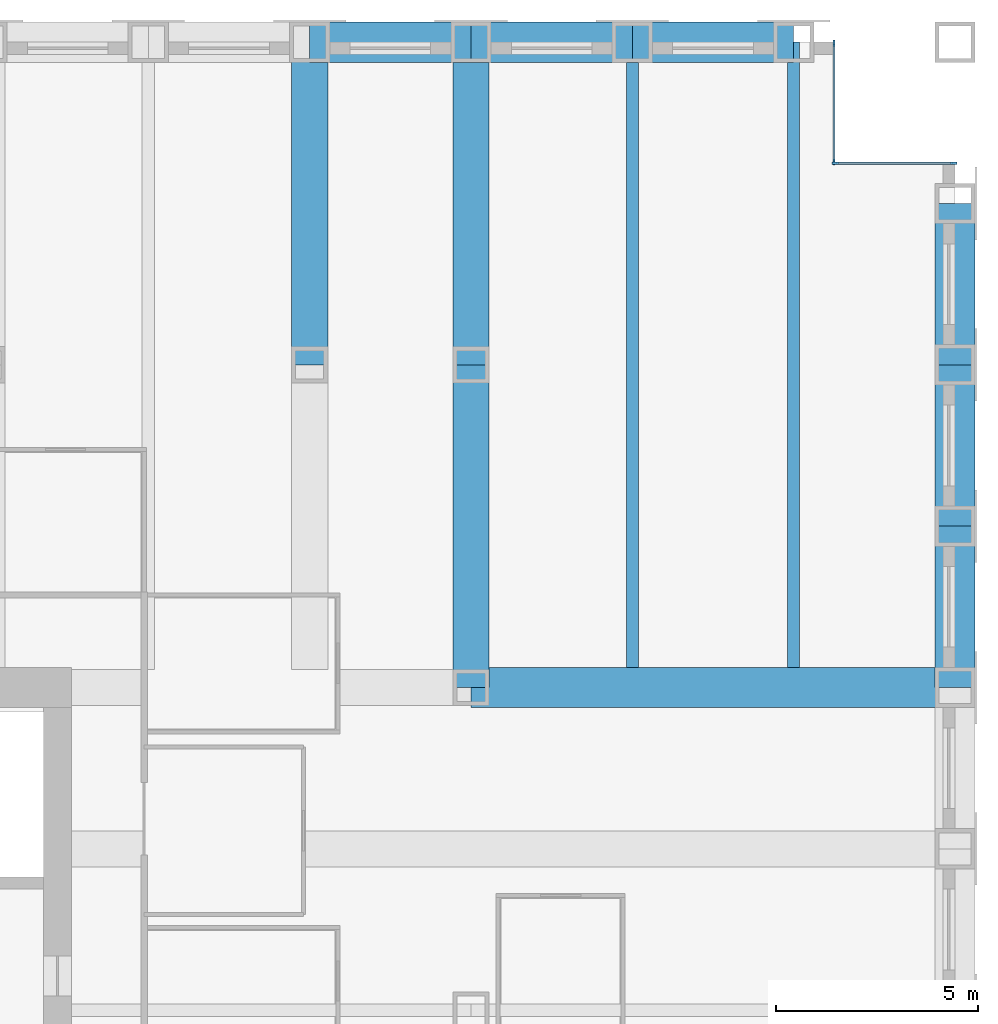
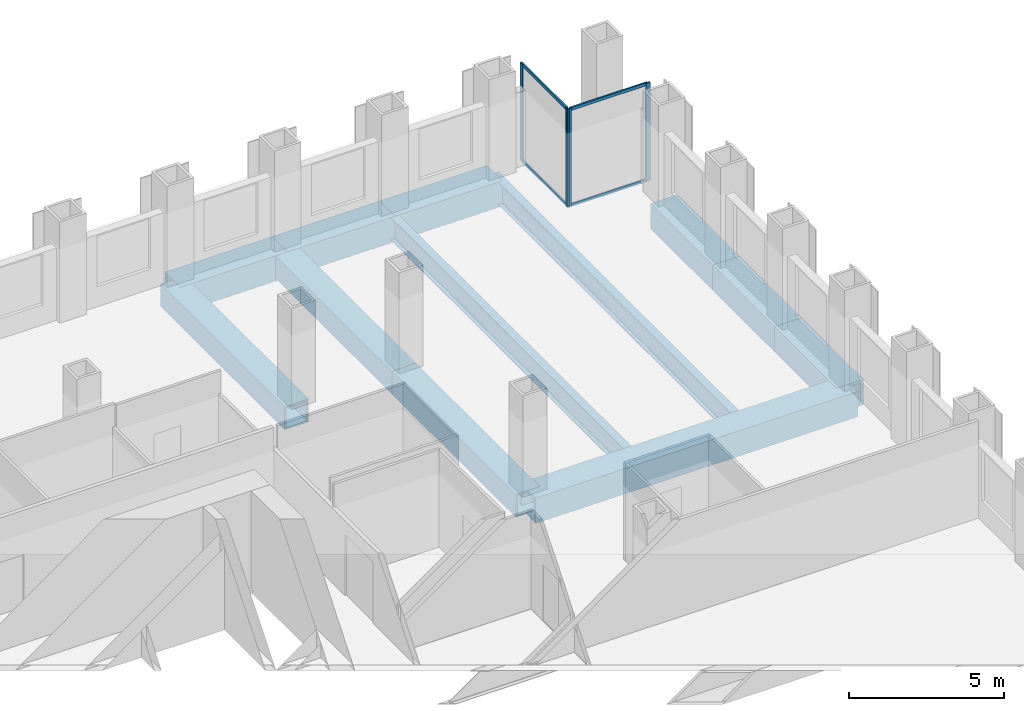
# One storey, part 9 of 16: 12 beams, 8 members, 2 elements without a shape of their own.
"""IFC4 building model written with IfcOpenShell, lengths in metres."""

from ifc_helpers import new_model, si_unit, direction, frame, origin, origin_2d, place, context, subcontext, project, spatial, rectangle, hollow_rectangle, i_section, extrude, material, material_profile, profile_set, type_object, element, aggregate, save


model = new_model("IFC4")

# Units and contexts
model_context = context("Model", 3, precision=1e-05, world=origin(), true_north=direction((0.0, 1.0)))
body_context = subcontext(model_context, "Body", "Model", "MODEL_VIEW")
ifc_project = project(units=[si_unit("LENGTHUNIT", "METRE"), si_unit("AREAUNIT", "SQUARE_METRE"), si_unit("VOLUMEUNIT", "CUBIC_METRE"), si_unit("PLANEANGLEUNIT", "RADIAN"), si_unit("MASSUNIT", "GRAM", prefix="KILO")], contexts=[model_context])

# Site, building, storey
site_placement = place(None, origin())
site = spatial("IfcSite", under=ifc_project, at=site_placement, CompositionType="ELEMENT")
building_placement = place(site_placement, origin())
building = spatial("IfcBuilding", under=site, at=building_placement, Name="Rimbunsela Tower", CompositionType="ELEMENT")
storey_placement = place(building_placement, frame((0.0, 0.0, 125.39990234375)))
storey = spatial("IfcBuildingStorey", under=building, at=storey_placement, Name="L30", CompositionType="ELEMENT", Elevation=125.39990234375)

# Beams
ifc_material_1 = material(Name="Steel BJ 55 (fy 410 MPa)", Category="steel")
ifc_material_profile_1 = material_profile(ifc_material_1, hollow_rectangle(XDim=1.0, YDim=1.0, WallThickness=0.10009765625, at=origin_2d()), Name="BOX 1000x1000x100")
ifc_profile_set_1 = profile_set([ifc_material_profile_1], Name="Steel BJ 55 (fy 410 MPa)")
beam_type_1 = type_object("IfcBeamType", Name="Beam BOX 1000x1000x100", PredefinedType="BEAM", material=ifc_profile_set_1)
beam_1_placement = place(storey_placement, frame((42.0, 52.0, -0.64990234375), z_axis=(1.0, 0.0, 0.0), x_axis=(0.0, 1.0, 0.0)))
element("IfcBeam", 1, at=beam_1_placement, inside=storey, type_object=beam_type_1, Name="Beam B3 L30", PredefinedType="BEAM", context=body_context, shape_type="SweptSolid", body=[
    extrude(hollow_rectangle(XDim=1.0, YDim=1.0, WallThickness=0.10009765625, at=origin_2d()), origin(), (0.0, 0.0, 1.0), 4.0),
])
beam_2_placement = place(storey_placement, frame((46.0, 36.0, -0.64990234375), z_axis=(1.0, 0.0, 0.0), x_axis=(0.0, 1.0, 0.0)))
element("IfcBeam", 2, at=beam_2_placement, inside=storey, type_object=beam_type_1, Name="Beam B3 L30", PredefinedType="BEAM", context=body_context, shape_type="SweptSolid", body=[
    extrude(hollow_rectangle(XDim=1.0, YDim=1.0, WallThickness=0.10009765625, at=origin_2d()), origin(), (0.0, 0.0, 1.0), 12.0),
])
for number, where, z_axis, x_axis, name in (
    (3, (46.0, 52.0, -0.64990234375), (1.0, 0.0, 0.0), (0.0, 1.0, 0.0), "Beam B3 L30"),
    (4, (50.0, 52.0, -0.64990234375), (1.0, 0.0, 0.0), (0.0, 1.0, 0.0), "Beam B3 L30"),
    (5, (58.0, 36.0, -0.64990234375), (0.0, 1.0, 0.0), (-1.0, 0.0, 0.0), "Beam B3 L30"),
    (6, (58.0, 40.0, -0.64990234375), (0.0, 1.0, 0.0), (-1.0, 0.0, 0.0), "Beam B3 L30"),
    (7, (58.0, 44.0, -0.64990234375), (0.0, 1.0, 0.0), (-1.0, 0.0, 0.0), "Beam B3 L30"),
):
    element("IfcBeam", number, at=place(storey_placement, frame(where, z_axis=z_axis, x_axis=x_axis)), inside=storey, type_object=beam_type_1, Name=name, PredefinedType="BEAM", context=body_context, shape_type="SweptSolid", body=[
        extrude(hollow_rectangle(XDim=1.0, YDim=1.0, WallThickness=0.10009765625, at=origin_2d()), origin(), (0.0, 0.0, 1.0), 4.0),
    ])
ifc_material_2 = material(Name="Steel BJ 55 (fy 410 MPa)", Category="steel")
ifc_material_profile_2 = material_profile(ifc_material_2, hollow_rectangle(XDim=0.89990234375, YDim=0.89990234375, WallThickness=0.06005859375, at=origin_2d()), Name="BOX 900x900x60")
ifc_profile_set_2 = profile_set([ifc_material_profile_2], Name="Steel BJ 55 (fy 410 MPa)")
beam_type_2 = type_object("IfcBeamType", Name="Beam BOX 900x900x60", PredefinedType="BEAM", material=ifc_profile_set_2)
for number, where, z_axis, x_axis, name in (
    (8, (42.0, 44.0, -0.599853515625), (0.0, 1.0, 0.0), (-1.0, 0.0, 0.0), "Beam B1 L30"),
    (9, (46.0, 36.0, -0.599853515625), (0.0, 1.0, 0.0), (-1.0, 0.0, 0.0), "Beam B1 L30"),
    (10, (46.0, 44.0, -0.599853515625), (0.0, 1.0, 0.0), (-1.0, 0.0, 0.0), "Beam B1 L30"),
):
    element("IfcBeam", number, at=place(storey_placement, frame(where, z_axis=z_axis, x_axis=x_axis)), inside=storey, type_object=beam_type_2, Name=name, PredefinedType="BEAM", context=body_context, shape_type="SweptSolid", body=[
        extrude(hollow_rectangle(XDim=0.89990234375, YDim=0.89990234375, WallThickness=0.06005859375, at=origin_2d()), origin(), (0.0, 0.0, 1.0), 8.0),
    ])
ifc_material_3 = material(Name="Steel BJ 55 (fy 410 MPa)", Category="steel")
ifc_material_profile_3 = material_profile(ifc_material_3, i_section(OverallWidth=0.300048828125, OverallDepth=0.89990234375, WebThickness=0.01611328125, FlangeThickness=0.028076171875, FilletRadius=0.028076171875, at=origin_2d()), Name="H 900x300x16x28")
ifc_profile_set_3 = profile_set([ifc_material_profile_3], Name="Steel BJ 55 (fy 410 MPa)")
beam_type_3 = type_object("IfcBeamType", Name="Beam H 900x300x16x28", PredefinedType="BEAM", material=ifc_profile_set_3)
for number, where, z_axis, x_axis, name in (
    (11, (50.0, 36.5, -0.599853515625), (0.0, 1.0, 0.0), (-1.0, 0.0, 0.0), "Beam B2 L30"),
    (12, (54.0, 36.5, -0.599853515625), (0.0, 1.0, 0.0), (-1.0, 0.0, 0.0), "Beam B2 L30"),
):
    element("IfcBeam", number, at=place(storey_placement, frame(where, z_axis=z_axis, x_axis=x_axis)), inside=storey, type_object=beam_type_3, Name=name, PredefinedType="BEAM", context=body_context, shape_type="SweptSolid", body=[
        extrude(i_section(OverallWidth=0.300048828125, OverallDepth=0.89990234375, WebThickness=0.01611328125, FlangeThickness=0.028076171875, FilletRadius=0.028076171875, at=origin_2d()), origin(), (0.0, 0.0, 1.0), 15.5),
    ])

# Curtain wall, members
ifc_material_4 = material(Name="Aluminium curtain wall", Category="aluminium")
curtain_wall_type = type_object("IfcCurtainWallType", Name="Corner glazing", PredefinedType="USERDEFINED", material=ifc_material_4)
curtain_wall_1_placement = place(storey_placement, origin())
curtain_wall_1 = element("IfcCurtainWall", 13, at=curtain_wall_1_placement, inside=storey, type_object=curtain_wall_type, Name="Corner glazing L30", ObjectType="CORNER GLAZING", PredefinedType="USERDEFINED")
ifc_material_5 = material(Name="Aluminium mullion", Category="aluminium")
ifc_material_profile_4 = material_profile(ifc_material_5, rectangle(XDim=0.06005859375, YDim=0.159912109375, at=origin_2d()), Name="Mullion 60x160")
ifc_profile_set_4 = profile_set([ifc_material_profile_4], Name="Aluminium mullion")
member_type_1 = type_object("IfcMemberType", Name="Curtain wall mullion 60x160", PredefinedType="MULLION", material=ifc_profile_set_4)
member_1_placement = place(storey_placement, frame((57.969970703125, 49.0, 0.0), z_axis=(0.0, 0.0, 1.0), x_axis=(0.0, -1.0, 0.0)))
member_1 = element("IfcMember", 14, at=member_1_placement, type_object=member_type_1, Name="CW5 mullion 1", PredefinedType="MULLION", context=body_context, shape_type="SweptSolid", body=[
    extrude(rectangle(XDim=0.06005859375, YDim=0.159912109375, at=origin_2d()), origin(), (0.0, 0.0, 1.0), 3.85009765625),
])
member_2_placement = place(storey_placement, frame((55.030029296875, 49.0, 0.0), z_axis=(0.0, 0.0, 1.0), x_axis=(0.0, -1.0, 0.0)))
member_2 = element("IfcMember", 15, at=member_2_placement, type_object=member_type_1, Name="CW5 mullion 2", PredefinedType="MULLION", context=body_context, shape_type="SweptSolid", body=[
    extrude(rectangle(XDim=0.06005859375, YDim=0.159912109375, at=origin_2d()), origin(), (0.0, 0.0, 1.0), 3.85009765625),
])

curtain_wall_2_placement = place(storey_placement, origin())
curtain_wall_2 = element("IfcCurtainWall", 16, at=curtain_wall_2_placement, inside=storey, type_object=curtain_wall_type, Name="Corner glazing L30", ObjectType="CORNER GLAZING", PredefinedType="USERDEFINED")
member_3_placement = place(storey_placement, frame((55.0, 49.030029296875, 0.0), z_axis=(0.0, 0.0, 1.0), x_axis=(-1.0, 0.0, 0.0)))
member_3 = element("IfcMember", 17, at=member_3_placement, type_object=member_type_1, Name="CW5 mullion 1", PredefinedType="MULLION", context=body_context, shape_type="SweptSolid", body=[
    extrude(rectangle(XDim=0.06005859375, YDim=0.159912109375, at=origin_2d()), origin(), (0.0, 0.0, 1.0), 3.85009765625),
])
member_4_placement = place(storey_placement, frame((55.0, 51.969970703125, 0.0), z_axis=(0.0, 0.0, 1.0), x_axis=(-1.0, 0.0, 0.0)))
member_4 = element("IfcMember", 18, at=member_4_placement, type_object=member_type_1, Name="CW5 mullion 2", PredefinedType="MULLION", context=body_context, shape_type="SweptSolid", body=[
    extrude(rectangle(XDim=0.06005859375, YDim=0.159912109375, at=origin_2d()), origin(), (0.0, 0.0, 1.0), 3.85009765625),
])

# Member
ifc_material_6 = material(Name="Aluminium transom", Category="aluminium")
ifc_material_profile_5 = material_profile(ifc_material_6, rectangle(XDim=0.06005859375, YDim=0.1201171875, at=origin_2d()), Name="Transom 60x120")
ifc_profile_set_5 = profile_set([ifc_material_profile_5], Name="Aluminium transom")
member_type_2 = type_object("IfcMemberType", Name="Curtain wall transom 60x120", PredefinedType="USERDEFINED", material=ifc_profile_set_5)
member_5_placement = place(storey_placement, frame((57.93994140625, 49.0, 0.030029296875), z_axis=(-1.0, 0.0, 0.0), x_axis=(0.0, -1.0, 0.0)))
member_5 = element("IfcMember", 19, at=member_5_placement, type_object=member_type_2, Name="CW5 transom 1.1", ObjectType="TRANSOM", PredefinedType="USERDEFINED", context=body_context, shape_type="SweptSolid", body=[
    extrude(rectangle(XDim=0.06005859375, YDim=0.1201171875, at=origin_2d()), origin(), (0.0, 0.0, 1.0), 2.8798828125),
])

member_6_placement = place(storey_placement, frame((57.93994140625, 49.0, 3.820068359375), z_axis=(-1.0, 0.0, 0.0), x_axis=(0.0, -1.0, 0.0)))
member_6 = element("IfcMember", 20, at=member_6_placement, type_object=member_type_2, Name="CW5 transom 1.2", ObjectType="TRANSOM", PredefinedType="USERDEFINED", context=body_context, shape_type="SweptSolid", body=[
    extrude(rectangle(XDim=0.06005859375, YDim=0.1201171875, at=origin_2d()), origin(), (0.0, 0.0, 1.0), 2.8798828125),
])

aggregate(curtain_wall_1, [member_1, member_2, member_5, member_6])

member_7_placement = place(storey_placement, frame((55.0, 49.06005859375, 0.030029296875), z_axis=(0.0, 1.0, 0.0), x_axis=(-1.0, 0.0, 0.0)))
member_7 = element("IfcMember", 21, at=member_7_placement, type_object=member_type_2, Name="CW5 transom 1.1", ObjectType="TRANSOM", PredefinedType="USERDEFINED", context=body_context, shape_type="SweptSolid", body=[
    extrude(rectangle(XDim=0.06005859375, YDim=0.1201171875, at=origin_2d()), origin(), (0.0, 0.0, 1.0), 2.8798828125),
])

member_8_placement = place(storey_placement, frame((55.0, 49.06005859375, 3.820068359375), z_axis=(0.0, 1.0, 0.0), x_axis=(-1.0, 0.0, 0.0)))
member_8 = element("IfcMember", 22, at=member_8_placement, type_object=member_type_2, Name="CW5 transom 1.2", ObjectType="TRANSOM", PredefinedType="USERDEFINED", context=body_context, shape_type="SweptSolid", body=[
    extrude(rectangle(XDim=0.06005859375, YDim=0.1201171875, at=origin_2d()), origin(), (0.0, 0.0, 1.0), 2.8798828125),
])

aggregate(curtain_wall_2, [member_3, member_4, member_7, member_8])

save(model, "model.ifc")
